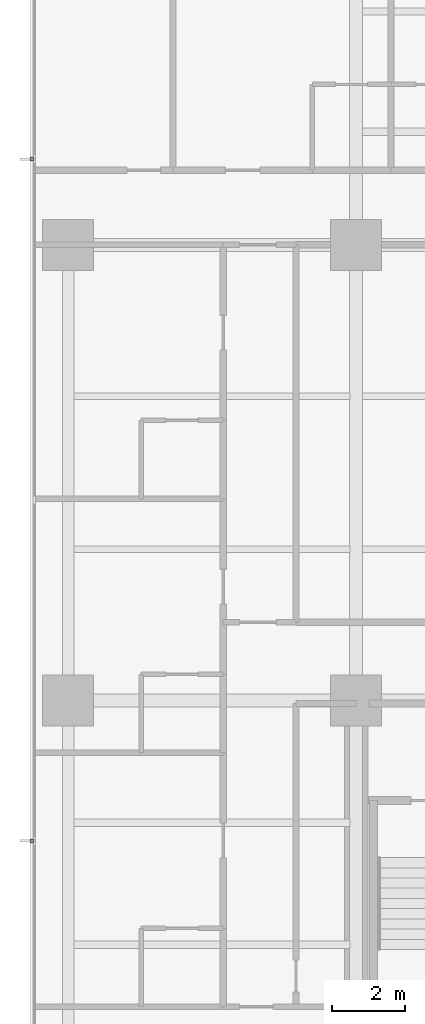
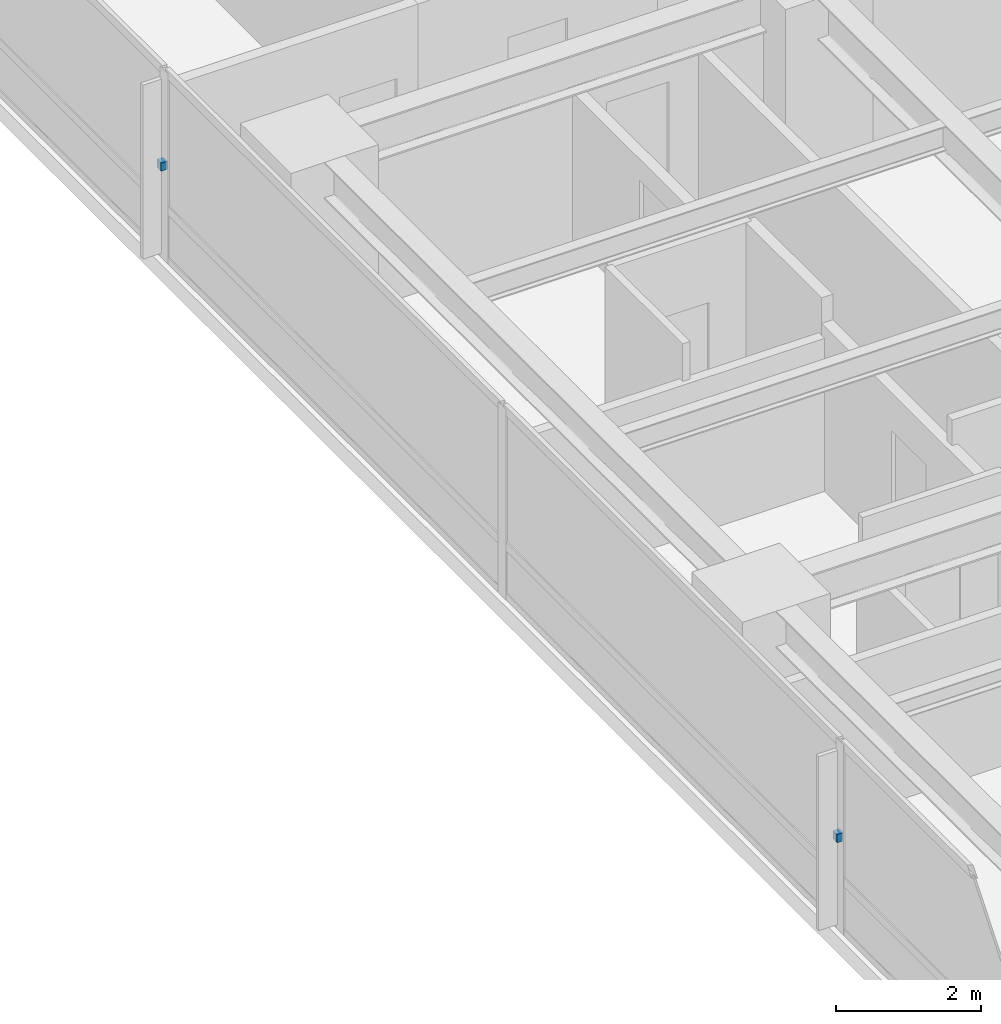
# One storey, part 12 of 17: 2 discrete accessories.
"""IFC4 building model written with IfcOpenShell, lengths in metres."""

from ifc_helpers import new_model, si_unit, direction, frame, origin, place, context, subcontext, project, spatial, polyline, outline, extrude, material, type_object, element, save


model = new_model("IFC4")

# Units and contexts
model_context = context("Model", 3, precision=1e-05, world=origin(), true_north=direction((0.0, 1.0)))
body_context = subcontext(model_context, "Body", "Model", "MODEL_VIEW")
ifc_project = project(units=[si_unit("LENGTHUNIT", "METRE"), si_unit("AREAUNIT", "SQUARE_METRE"), si_unit("VOLUMEUNIT", "CUBIC_METRE"), si_unit("PLANEANGLEUNIT", "RADIAN"), si_unit("MASSUNIT", "GRAM", prefix="KILO")], contexts=[model_context])

# Site, building, storey
site_placement = place(None, origin())
site = spatial("IfcSite", under=ifc_project, at=site_placement, CompositionType="ELEMENT")
building_placement = place(site_placement, origin())
building = spatial("IfcBuilding", under=site, at=building_placement, Name="Qalmaran Belvedere Hotel", CompositionType="ELEMENT")
storey_placement = place(building_placement, frame((0.0, 0.0, 33.39990234375)))
storey = spatial("IfcBuildingStorey", under=building, at=storey_placement, Name="L07", CompositionType="ELEMENT", Elevation=33.39990234375)

# Discrete accessories
ifc_material = material(Name="Stainless Steel 1.4401", Category="steel")
discrete_accessory_type = type_object("IfcDiscreteAccessoryType", Name="BRK-FIN-SS316", PredefinedType="BRACKET", material=ifc_material)
discrete_accessory_1_placement = place(storey_placement, frame((0.0, 0.0, 1.56005859375)))
element("IfcDiscreteAccessory", 1, at=discrete_accessory_1_placement, inside=storey, type_object=discrete_accessory_type, Name="L07 Fin Bracket 1", PredefinedType="BRACKET", context=body_context, shape_type="SweptSolid", body=[
    extrude(outline(polyline([(11.455078125, 35.405029296875), (11.357421875, 35.405029296875), (11.357421875, 35.294921875), (11.455078125, 35.294921875), (11.455078125, 35.405029296875)])), origin(), (0.0, 0.0, 1.0), 0.14013671875),
])
discrete_accessory_2_placement = place(storey_placement, frame((0.0, 0.0, 1.56005859375)))
element("IfcDiscreteAccessory", 2, at=discrete_accessory_2_placement, inside=storey, type_object=discrete_accessory_type, Name="L07 Fin Bracket 3", PredefinedType="BRACKET", context=body_context, shape_type="SweptSolid", body=[
    extrude(outline(polyline([(11.455078125, 16.705078125), (11.357421875, 16.705078125), (11.357421875, 16.594970703125), (11.455078125, 16.594970703125), (11.455078125, 16.705078125)])), origin(), (0.0, 0.0, 1.0), 0.14013671875),
])

save(model, "model.ifc")
